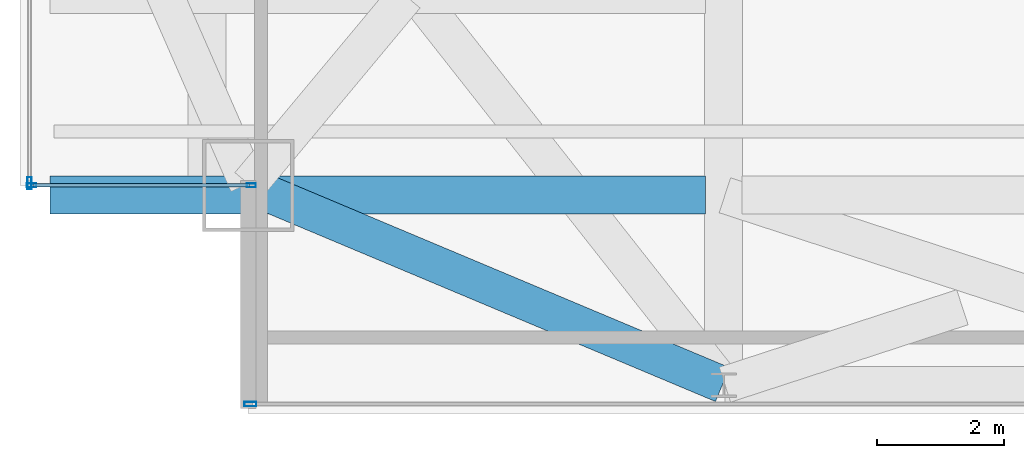
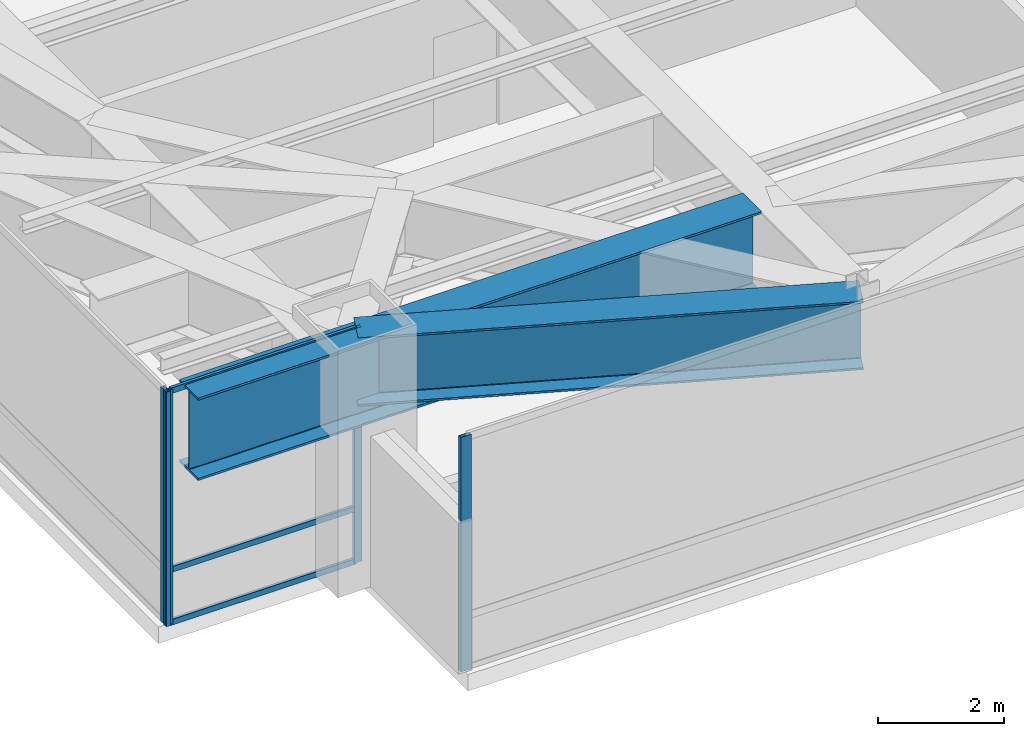
# One storey, part 4 of 32: 7 members, 2 beams, 3 elements without a shape of their own.
"""IFC4 building model written with IfcOpenShell, lengths in metres."""

from ifc_helpers import new_model, si_unit, direction, frame, origin, origin_2d, place, context, subcontext, project, spatial, hollow_rectangle, i_section, extrude, source, transform, mapped, material, layer, layer_set, material_profile, profile_set, type_object, type_shapes, element, aggregate, save


model = new_model("IFC4")

# Units and contexts
model_context = context("Model", 3, precision=1e-05, world=origin(), true_north=direction((0.0, 1.0)))
body_context = subcontext(model_context, "Body", "Model", "MODEL_VIEW")
ifc_project = project(units=[si_unit("LENGTHUNIT", "METRE"), si_unit("AREAUNIT", "SQUARE_METRE"), si_unit("VOLUMEUNIT", "CUBIC_METRE"), si_unit("PLANEANGLEUNIT", "RADIAN"), si_unit("MASSUNIT", "GRAM", prefix="KILO")], contexts=[model_context])

# Site, building, storey
site_placement = place(None, origin())
site = spatial("IfcSite", under=ifc_project, at=site_placement, CompositionType="ELEMENT")
building_placement = place(site_placement, origin())
building = spatial("IfcBuilding", under=site, at=building_placement, Name="Varnel Quay Broadcast Tower", CompositionType="ELEMENT")
storey_placement = place(building_placement, frame((0.0, 0.0, 141.0)))
storey = spatial("IfcBuildingStorey", under=building, at=storey_placement, Name="L34", CompositionType="ELEMENT", Elevation=141.0)

# Beams
ifc_material_1 = material(Name="Structural Steel CSA G40.21 350WT", Category="steel")
ifc_material_profile_1 = material_profile(ifc_material_1, i_section(OverallWidth=0.580078125, OverallDepth=1.330078125, WebThickness=0.02197265625, FlangeThickness=0.0380859375, FilletRadius=0.02001953125, at=origin_2d()), Name="WWF1330X535")
ifc_profile_set_1 = profile_set([ifc_material_profile_1], Name="Structural Steel CSA G40.21 350WT")
beam_type_1 = type_object("IfcBeamType", Name="Girder_WWF1330X535", PredefinedType="BEAM", material=ifc_profile_set_1)
shared_shape_1 = source(origin(), body_context, "Body", "SweptSolid", [
    extrude(i_section(OverallWidth=0.580078125, OverallDepth=1.330078125, WebThickness=0.02197265625, FlangeThickness=0.0380859375, FilletRadius=0.02001953125, at=origin_2d()), origin(), (0.0, 0.0, 1.0), 8.0947265625),
])
type_shapes(beam_type_1, [shared_shape_1])
beam_1_placement = place(storey_placement, frame((8.118408203125, 7.792236328125, 3.885009765625), z_axis=(0.921981890247, -0.387232997117, 0.0), x_axis=(0.387232997117, 0.921981890247, 0.0)))
element("IfcBeam", 1, at=beam_1_placement, inside=storey, type_object=beam_type_1, Name="L34 Perimeter Transfer Spine MC-SW-TC-S1", PredefinedType="BEAM", context=body_context, shape_type="MappedRepresentation", body=[
    mapped(shared_shape_1, transform((0.0, 0.0, 0.0), x_axis=(1.0, 0.0, 0.0), y_axis=(0.0, 1.0, 0.0), z_axis=(0.0, 0.0, 1.0), scale=1.0)),
])
ifc_material_profile_2 = material_profile(ifc_material_1, i_section(OverallWidth=0.60009765625, OverallDepth=1.60009765625, WebThickness=0.02392578125, FlangeThickness=0.0419921875, FilletRadius=0.02197265625, at=origin_2d()), Name="WWF1600X620")
ifc_profile_set_2 = profile_set([ifc_material_profile_2], Name="Structural Steel CSA G40.21 350WT")
beam_type_2 = type_object("IfcBeamType", Name="Girder_WWF1600X620", PredefinedType="BEAM", material=ifc_profile_set_2)
shared_shape_2 = source(origin(), body_context, "Body", "SweptSolid", [
    extrude(i_section(OverallWidth=0.60009765625, OverallDepth=1.60009765625, WebThickness=0.02392578125, FlangeThickness=0.0419921875, FilletRadius=0.02197265625, at=origin_2d()), origin(), (0.0, 0.0, 1.0), 10.344970703125),
])
type_shapes(beam_type_2, [shared_shape_2])
beam_2_placement = place(storey_placement, frame((4.969970703125, 7.64990234375, 3.75), z_axis=(1.0, 0.0, 0.0), x_axis=(0.0, 1.0, 0.0)))
element("IfcBeam", 2, at=beam_2_placement, inside=storey, type_object=beam_type_2, Name="L34 Setback South Transfer Header 1", PredefinedType="BEAM", context=body_context, shape_type="MappedRepresentation", body=[
    mapped(shared_shape_2, transform((0.0, 0.0, 0.0), x_axis=(1.0, 0.0, 0.0), y_axis=(0.0, 1.0, 0.0), z_axis=(0.0, 0.0, 1.0), scale=1.0)),
])

# Curtain wall, members
ifc_material_2 = material(Name="Anodised Bronze Aluminium 6063-T6", Category="aluminium")
ifc_layer_1 = layer(ifc_material_2, 0.18994140625, Name="Anodised Bronze Aluminium 6063-T6")
ifc_layer_set_1 = layer_set([ifc_layer_1], Name="Anodised Bronze Aluminium 6063-T6")
curtain_wall_type_1 = type_object("IfcCurtainWallType", Name="CW_NotchCorner", PredefinedType="NOTDEFINED", material=ifc_layer_set_1)
curtain_wall_1_placement = place(storey_placement, origin())
curtain_wall_1 = element("IfcCurtainWall", 3, at=curtain_wall_1_placement, inside=storey, type_object=curtain_wall_type_1, Name="L34 SW Notch Curtain Wall", PredefinedType="NOTDEFINED")
ifc_material_profile_3 = material_profile(ifc_material_2, hollow_rectangle(XDim=0.054931640625, YDim=0.110107421875, WallThickness=0.0029296875, at=origin_2d()), Name="ALU55X110X3")
ifc_profile_set_3 = profile_set([ifc_material_profile_3], Name="Anodised Bronze Aluminium 6063-T6")
member_type_1 = type_object("IfcMemberType", Name="Tran_CWS-04", PredefinedType="USERDEFINED", material=ifc_profile_set_3)
shared_shape_3 = source(origin(), body_context, "Body", "SweptSolid", [
    extrude(hollow_rectangle(XDim=0.054931640625, YDim=0.110107421875, WallThickness=0.0029296875, at=origin_2d()), origin(), (0.0, 0.0, 1.0), 3.41015625),
])
type_shapes(member_type_1, [shared_shape_3])
member_1_placement = place(storey_placement, frame((4.7099609375, 7.800048828125, 0.027587890625), z_axis=(1.0, 0.0, 0.0), x_axis=(0.0, 1.0, 0.0)))
member_1 = element("IfcMember", 4, at=member_1_placement, type_object=member_type_1, Name="CWS-04 transom 1.1", ObjectType="TRANSOM", PredefinedType="USERDEFINED", context=body_context, shape_type="MappedRepresentation", body=[
    mapped(shared_shape_3, transform((0.0, 0.0, 0.0), x_axis=(1.0, 0.0, 0.0), y_axis=(0.0, 1.0, 0.0), z_axis=(0.0, 0.0, 1.0), scale=1.0)),
])
member_2_placement = place(storey_placement, frame((4.7099609375, 7.800048828125, 1.050048828125), z_axis=(1.0, 0.0, 0.0), x_axis=(0.0, 1.0, 0.0)))
member_2 = element("IfcMember", 5, at=member_2_placement, type_object=member_type_1, Name="CWS-04 transom 1.2", ObjectType="TRANSOM", PredefinedType="USERDEFINED", context=body_context, shape_type="MappedRepresentation", body=[
    mapped(shared_shape_3, transform((0.0, 0.0, 0.0), x_axis=(1.0, 0.0, 0.0), y_axis=(0.0, 1.0, 0.0), z_axis=(0.0, 0.0, 1.0), scale=1.0)),
])
member_3_placement = place(storey_placement, frame((4.7099609375, 7.800048828125, 4.5224609375), z_axis=(1.0, 0.0, 0.0), x_axis=(0.0, 1.0, 0.0)))
member_3 = element("IfcMember", 6, at=member_3_placement, type_object=member_type_1, Name="CWS-04 transom 1.3", ObjectType="TRANSOM", PredefinedType="USERDEFINED", context=body_context, shape_type="MappedRepresentation", body=[
    mapped(shared_shape_3, transform((0.0, 0.0, 0.0), x_axis=(1.0, 0.0, 0.0), y_axis=(0.0, 1.0, 0.0), z_axis=(0.0, 0.0, 1.0), scale=1.0)),
])

# Curtain wall, member
ifc_layer_2 = layer(ifc_material_2, 0.18994140625, Name="Anodised Bronze Aluminium 6063-T6")
ifc_layer_set_2 = layer_set([ifc_layer_2], Name="Anodised Bronze Aluminium 6063-T6")
curtain_wall_type_2 = type_object("IfcCurtainWallType", Name="CW_LowerTower", PredefinedType="NOTDEFINED", material=ifc_layer_set_2)
curtain_wall_2_placement = place(storey_placement, origin())
curtain_wall_2 = element("IfcCurtainWall", 7, at=curtain_wall_2_placement, inside=storey, type_object=curtain_wall_type_2, Name="L34 South Unitised Curtain Wall 1", PredefinedType="NOTDEFINED")
ifc_material_profile_4 = material_profile(ifc_material_2, hollow_rectangle(XDim=0.070068359375, YDim=0.18994140625, WallThickness=0.00390625, at=origin_2d()), Name="ALU70X190X4")
ifc_profile_set_4 = profile_set([ifc_material_profile_4], Name="Anodised Bronze Aluminium 6063-T6")
member_type_2 = type_object("IfcMemberType", Name="Mull_CWS-02", PredefinedType="MULLION", material=ifc_profile_set_4)
shared_shape_4 = source(origin(), body_context, "Body", "SweptSolid", [
    extrude(hollow_rectangle(XDim=0.070068359375, YDim=0.18994140625, WallThickness=0.00390625, at=origin_2d()), origin(), (0.0, 0.0, 1.0), 4.550048828125),
])
type_shapes(member_type_2, [shared_shape_4])
member_4_placement = place(storey_placement, frame((8.135009765625, 4.35009765625, 0.0), z_axis=(0.0, 0.0, 1.0), x_axis=(0.0, 1.0, 0.0)))
member_4 = element("IfcMember", 8, at=member_4_placement, type_object=member_type_2, Name="CWS-02 mullion 1", PredefinedType="MULLION", context=body_context, shape_type="MappedRepresentation", body=[
    mapped(shared_shape_4, transform((0.0, 0.0, 0.0), x_axis=(1.0, 0.0, 0.0), y_axis=(0.0, 1.0, 0.0), z_axis=(0.0, 0.0, 1.0), scale=1.0)),
])
aggregate(curtain_wall_2, [member_4])

curtain_wall_3_placement = place(storey_placement, origin())
curtain_wall_3 = element("IfcCurtainWall", 9, at=curtain_wall_3_placement, inside=storey, type_object=curtain_wall_type_2, Name="L34 West Unitised Curtain Wall", PredefinedType="NOTDEFINED")
member_5_placement = place(storey_placement, frame((4.64990234375, 7.8349609375, 0.0), z_axis=(0.0, 0.0, 1.0), x_axis=(-1.0, 0.0, 0.0)))
member_5 = element("IfcMember", 10, at=member_5_placement, type_object=member_type_2, Name="CWS-02 mullion 1", PredefinedType="MULLION", context=body_context, shape_type="MappedRepresentation", body=[
    mapped(shared_shape_4, transform((0.0, 0.0, 0.0), x_axis=(1.0, 0.0, 0.0), y_axis=(0.0, 1.0, 0.0), z_axis=(0.0, 0.0, 1.0), scale=1.0)),
])
aggregate(curtain_wall_3, [member_5])

# Member
ifc_material_profile_5 = material_profile(ifc_material_2, hollow_rectangle(XDim=0.06005859375, YDim=0.14501953125, WallThickness=0.00341796875, at=origin_2d()), Name="ALU60X145X3.5")
ifc_profile_set_5 = profile_set([ifc_material_profile_5], Name="Anodised Bronze Aluminium 6063-T6")
member_type_3 = type_object("IfcMemberType", Name="Mull_CWS-04", PredefinedType="MULLION", material=ifc_profile_set_5)
shared_shape_5 = source(origin(), body_context, "Body", "SweptSolid", [
    extrude(hollow_rectangle(XDim=0.06005859375, YDim=0.14501953125, WallThickness=0.00341796875, at=origin_2d()), origin(), (0.0, 0.0, 1.0), 4.550048828125),
])
type_shapes(member_type_3, [shared_shape_5])
member_6_placement = place(storey_placement, frame((4.679931640625, 7.800048828125, 0.0), z_axis=(0.0, 0.0, 1.0), x_axis=(0.0, 1.0, 0.0)))
member_6 = element("IfcMember", 11, at=member_6_placement, type_object=member_type_3, Name="CWS-04 mullion 1", PredefinedType="MULLION", context=body_context, shape_type="MappedRepresentation", body=[
    mapped(shared_shape_5, transform((0.0, 0.0, 0.0), x_axis=(1.0, 0.0, 0.0), y_axis=(0.0, 1.0, 0.0), z_axis=(0.0, 0.0, 1.0), scale=1.0)),
])

member_7_placement = place(storey_placement, frame((8.14990234375, 7.800048828125, 0.0), z_axis=(0.0, 0.0, 1.0), x_axis=(0.0, 1.0, 0.0)))
member_7 = element("IfcMember", 12, at=member_7_placement, type_object=member_type_3, Name="CWS-04 mullion 2", PredefinedType="MULLION", context=body_context, shape_type="MappedRepresentation", body=[
    mapped(shared_shape_5, transform((0.0, 0.0, 0.0), x_axis=(1.0, 0.0, 0.0), y_axis=(0.0, 1.0, 0.0), z_axis=(0.0, 0.0, 1.0), scale=1.0)),
])

aggregate(curtain_wall_1, [member_6, member_7, member_1, member_2, member_3])

save(model, "model.ifc")
